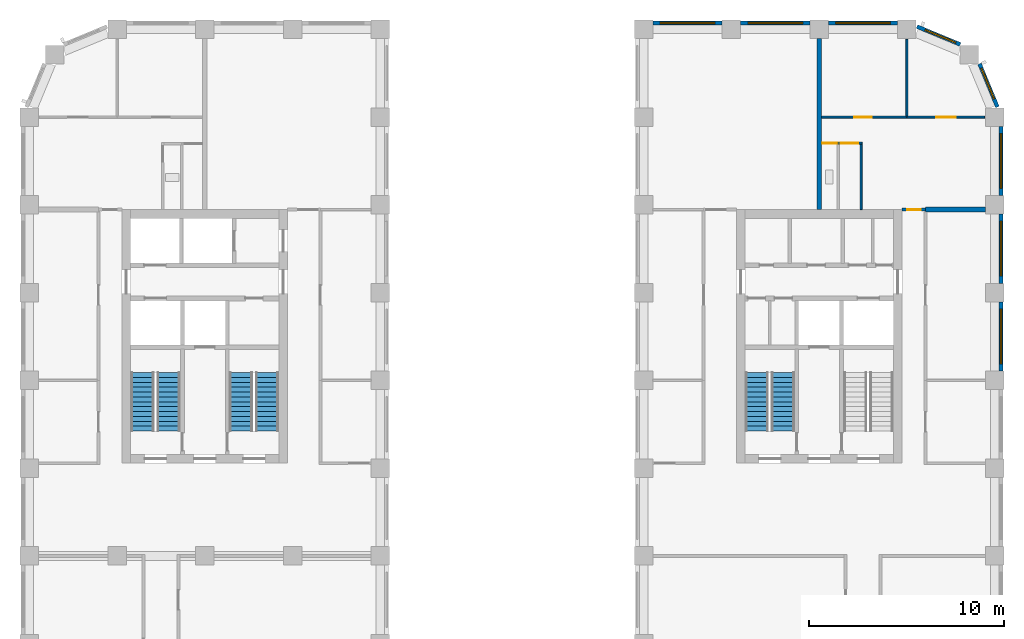
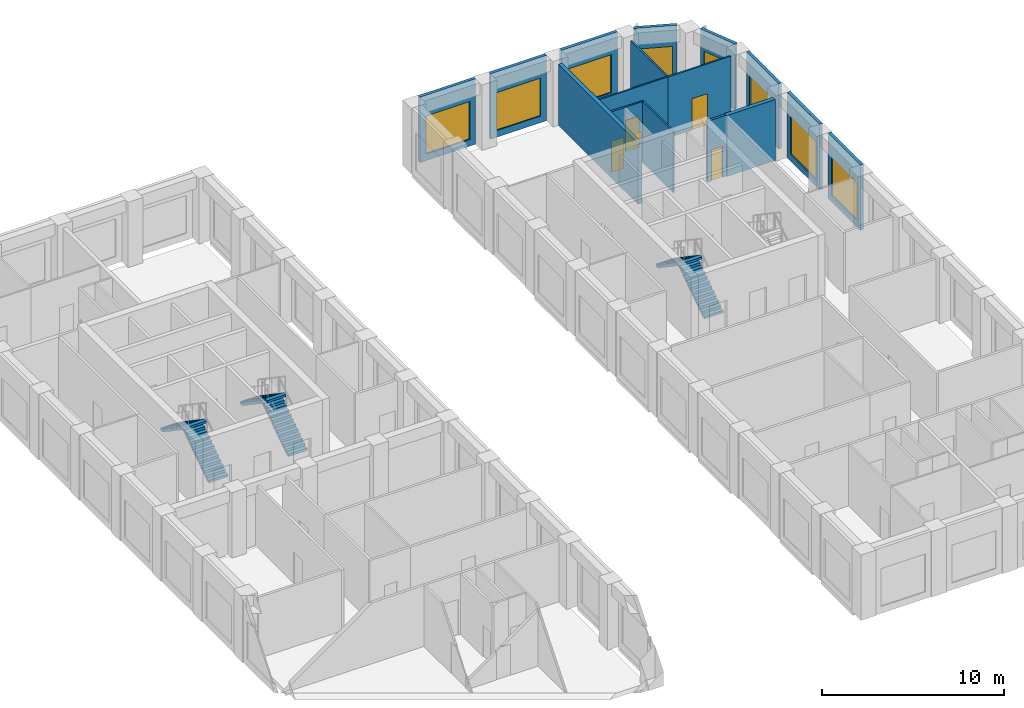
# One storey, part 9 of 13: 17 walls, 8 windows, 6 stair flights, 5 doors, 13 openings, 3 elements without a shape of their own.
"""IFC4 building model written with IfcOpenShell, lengths in metres."""

from ifc_helpers import new_model, si_unit, direction, frame, frame_2d, origin, place, context, subcontext, project, spatial, polyline, rectangle, outline, extrude, material, layer, layer_set, type_object, element, fill, aggregate, save


model = new_model("IFC4")

# Units and contexts
model_context = context("Model", 3, precision=1e-05, world=origin(), true_north=direction((0.0, 1.0)))
body_context = subcontext(model_context, "Body", "Model", "MODEL_VIEW")
ifc_project = project(units=[si_unit("LENGTHUNIT", "METRE"), si_unit("AREAUNIT", "SQUARE_METRE"), si_unit("VOLUMEUNIT", "CUBIC_METRE"), si_unit("PLANEANGLEUNIT", "RADIAN"), si_unit("MASSUNIT", "GRAM", prefix="KILO")], contexts=[model_context])

# Site, building, storey
site_placement = place(None, origin())
site = spatial("IfcSite", under=ifc_project, at=site_placement, CompositionType="ELEMENT")
building_placement = place(site_placement, origin())
building = spatial("IfcBuilding", under=site, at=building_placement, Name="Girih Gate Residences", CompositionType="ELEMENT")
storey_placement = place(building_placement, frame((0.0, 0.0, 150.60009765625)))
storey = spatial("IfcBuildingStorey", under=building, at=storey_placement, Name="L42", CompositionType="ELEMENT", Elevation=150.60009765625)

# Walls
ifc_material_1 = material(Name="Gypsum board on steel studs", Category="steel")
ifc_layer_1 = layer(ifc_material_1, 0.25)
ifc_layer_set_1 = layer_set([ifc_layer_1], Name="Acoustic separating wall 250 mm")
wall_type_1 = type_object("IfcWallType", Name="Acoustic separating wall 250 mm", PredefinedType="PARTITIONING", material=ifc_layer_set_1)
wall_1_placement = place(storey_placement, frame((40.5, 40.25, 0.0), z_axis=(0.0, 0.0, 1.0), x_axis=(0.0, 1.0, 0.0)))
element("IfcWall", 1, at=wall_1_placement, inside=storey, type_object=wall_type_1, Name="L42 partition", PredefinedType="PARTITIONING", context=body_context, shape_type="SweptSolid", body=[
    extrude(rectangle(XDim=8.77490234375, YDim=0.25, at=frame_2d((4.387451171875, 0.0))), origin(), (0.0, 0.0, 1.0), 4.099853515625),
])
wall_2_placement = place(storey_placement, frame((45.949951171875, 40.25, 0.0), z_axis=(0.0, 0.0, 1.0), x_axis=(1.0, 0.0, 0.0)))
element("IfcWall", 2, at=wall_2_placement, inside=storey, type_object=wall_type_1, Name="L42 partition", PredefinedType="PARTITIONING", context=body_context, shape_type="SweptSolid", body=[
    extrude(rectangle(XDim=3.074951171875, YDim=0.25, at=frame_2d((1.53759765625, 0.0))), origin(), (0.0, 0.0, 1.0), 4.099853515625),
])

# Wall, opening, door
ifc_layer_2 = layer(ifc_material_1, 0.14990234375)
ifc_layer_set_2 = layer_set([ifc_layer_2], Name="Compartment wall 150 mm")
wall_type_2 = type_object("IfcWallType", Name="Compartment wall 150 mm", PredefinedType="PARTITIONING", material=ifc_layer_set_2)
wall_3_placement = place(storey_placement, frame((44.75, 40.25, 0.0), z_axis=(0.0, 0.0, 1.0), x_axis=(1.0, 0.0, 0.0)))
wall_3 = element("IfcWall", 3, at=wall_3_placement, inside=storey, type_object=wall_type_2, Name="L42 partition", PredefinedType="PARTITIONING", context=body_context, shape_type="SweptSolid", body=[
    extrude(rectangle(XDim=1.199951171875, YDim=0.14990234375, at=frame_2d((0.60009765625, 0.0))), origin(), (0.0, 0.0, 1.0), 4.099853515625),
])
opening_1_placement = place(wall_3_placement, frame((0.260009765625, 0.0, 0.0)))
opening_1 = element("IfcOpeningElement", 4, at=opening_1_placement, cuts=wall_3, Name="Opening A42-026", PredefinedType="OPENING", context=body_context, shape_type="SweptSolid", body=[
    extrude(rectangle(XDim=0.699951171875, YDim=2.10009765625, at=frame_2d((0.35009765625, 1.050048828125))), frame((0.0, 0.0849609375, 0.0), z_axis=(0.0, -1.0, 0.0), x_axis=(1.0, 0.0, 0.0)), (0.0, 0.0, 1.0), 0.169921875),
])
ifc_material_2 = material(Name="Timber", Category="wood")
door_type_1 = type_object("IfcDoorType", Name="Narrow door 700x2100", OperationType="NOTDEFINED", PredefinedType="DOOR", material=ifc_material_2)
door_1_placement = place(opening_1_placement, origin())
door_1 = element("IfcDoor", 5, at=door_1_placement, inside=storey, type_object=door_type_1, Name="Door A42-026", OperationType="SINGLE_SWING_RIGHT", OverallHeight=2.10009765625, OverallWidth=0.699951171875, PredefinedType="DOOR", context=body_context, shape_type="SweptSolid", body=[
    extrude(rectangle(XDim=0.699951171875, YDim=2.10009765625, at=frame_2d((0.35009765625, 1.050048828125))), frame((0.0, 0.02490234375, 0.0), z_axis=(0.0, -1.0, 0.0), x_axis=(1.0, 0.0, 0.0)), (0.0, 0.0, 1.0), 0.050048828125),
])
fill(opening_1, door_1)

ifc_layer_3 = layer(ifc_material_1, 0.10009765625)
ifc_layer_set_3 = layer_set([ifc_layer_3], Name="Partition 100 mm")
wall_type_3 = type_object("IfcWallType", Name="Partition 100 mm", PredefinedType="PARTITIONING", material=ifc_layer_set_3)
wall_4_placement = place(storey_placement, frame((40.625, 45.0, 0.0), z_axis=(0.0, 0.0, 1.0), x_axis=(1.0, 0.0, 0.0)))
wall_4 = element("IfcWall", 6, at=wall_4_placement, inside=storey, type_object=wall_type_3, Name="L42 partition", PredefinedType="PARTITIONING", context=body_context, shape_type="SweptSolid", body=[
    extrude(rectangle(XDim=4.375, YDim=0.10009765625, at=frame_2d((2.1875, 0.0))), origin(), (0.0, 0.0, 1.0), 4.099853515625),
])
opening_2_placement = place(wall_4_placement, frame((1.675048828125, 0.0, 0.0)))
opening_2 = element("IfcOpeningElement", 7, at=opening_2_placement, cuts=wall_4, Name="Opening A42-023", PredefinedType="OPENING", context=body_context, shape_type="SweptSolid", body=[
    extrude(rectangle(XDim=0.89990234375, YDim=2.10009765625, at=frame_2d((0.449951171875, 1.050048828125))), frame((0.0, 0.06005859375, 0.0), z_axis=(0.0, -1.0, 0.0), x_axis=(1.0, 0.0, 0.0)), (0.0, 0.0, 1.0), 0.1201171875),
])
door_type_2 = type_object("IfcDoorType", Name="Bedroom door 900x2100", OperationType="NOTDEFINED", PredefinedType="DOOR", material=ifc_material_2)
door_2_placement = place(opening_2_placement, origin())
door_2 = element("IfcDoor", 8, at=door_2_placement, inside=storey, type_object=door_type_2, Name="Door A42-023", OperationType="SINGLE_SWING_LEFT", OverallHeight=2.10009765625, OverallWidth=0.89990234375, PredefinedType="DOOR", context=body_context, shape_type="SweptSolid", body=[
    extrude(rectangle(XDim=0.89990234375, YDim=2.10009765625, at=frame_2d((0.449951171875, 1.050048828125))), frame((0.0, 0.02490234375, 0.0), z_axis=(0.0, -1.0, 0.0), x_axis=(1.0, 0.0, 0.0)), (0.0, 0.0, 1.0), 0.050048828125),
])
fill(opening_2, door_2)

# Walls
wall_5_placement = place(storey_placement, frame((45.0, 45.050048828125, 0.0), z_axis=(0.0, 0.0, 1.0), x_axis=(0.0, 1.0, 0.0)))
element("IfcWall", 9, at=wall_5_placement, inside=storey, type_object=wall_type_3, Name="L42 partition", PredefinedType="PARTITIONING", context=body_context, shape_type="SweptSolid", body=[
    extrude(rectangle(XDim=3.935791015625, YDim=0.10009765625, at=frame_2d((1.9677734375, 0.0))), origin(), (0.0, 0.0, 1.0), 4.099853515625),
])
wall_6_placement = place(storey_placement, frame((42.64990234375, 40.25, 0.0), z_axis=(0.0, 0.0, 1.0), x_axis=(0.0, 1.0, 0.0)))
element("IfcWall", 10, at=wall_6_placement, inside=storey, type_object=wall_type_3, Name="L42 partition", PredefinedType="PARTITIONING", context=body_context, shape_type="SweptSolid", body=[
    extrude(rectangle(XDim=3.360107421875, YDim=0.10009765625, at=frame_2d((1.68017578125, 0.0))), origin(), (0.0, 0.0, 1.0), 4.099853515625),
])

# Wall, opening, door
wall_7_placement = place(storey_placement, frame((42.699951171875, 43.659912109375, 0.0), z_axis=(0.0, 0.0, 1.0), x_axis=(-1.0, 0.0, 0.0)))
wall_7 = element("IfcWall", 11, at=wall_7_placement, inside=storey, type_object=wall_type_3, Name="L42 partition", PredefinedType="PARTITIONING", context=body_context, shape_type="SweptSolid", body=[
    extrude(rectangle(XDim=1.22265625, YDim=0.10009765625, at=frame_2d((0.611328125, 0.0))), origin(), (0.0, 0.0, 1.0), 4.099853515625),
])
opening_3_placement = place(wall_7_placement, frame((0.186279296875, 0.0, 0.0)))
opening_3 = element("IfcOpeningElement", 12, at=opening_3_placement, cuts=wall_7, Name="Opening A42-024", PredefinedType="OPENING", context=body_context, shape_type="SweptSolid", body=[
    extrude(rectangle(XDim=0.89990234375, YDim=2.10009765625, at=frame_2d((0.449951171875, 1.050048828125))), frame((0.0, 0.06005859375, 0.0), z_axis=(0.0, -1.0, 0.0), x_axis=(1.0, 0.0, 0.0)), (0.0, 0.0, 1.0), 0.1201171875),
])
door_type_3 = type_object("IfcDoorType", Name="Kitchen door 900x2100", OperationType="NOTDEFINED", PredefinedType="DOOR", material=ifc_material_2)
door_3_placement = place(opening_3_placement, origin())
door_3 = element("IfcDoor", 13, at=door_3_placement, inside=storey, type_object=door_type_3, Name="Door A42-024", OperationType="SINGLE_SWING_RIGHT", OverallHeight=2.10009765625, OverallWidth=0.89990234375, PredefinedType="DOOR", context=body_context, shape_type="SweptSolid", body=[
    extrude(rectangle(XDim=0.89990234375, YDim=2.10009765625, at=frame_2d((0.449951171875, 1.050048828125))), frame((0.0, 0.02490234375, 0.0), z_axis=(0.0, -1.0, 0.0), x_axis=(1.0, 0.0, 0.0)), (0.0, 0.0, 1.0), 0.050048828125),
])
fill(opening_3, door_3)

wall_8_placement = place(storey_placement, frame((45.0, 45.0, 0.0), z_axis=(0.0, 0.0, 1.0), x_axis=(1.0, 0.0, 0.0)))
wall_8 = element("IfcWall", 14, at=wall_8_placement, inside=storey, type_object=wall_type_3, Name="L42 partition", PredefinedType="PARTITIONING", context=body_context, shape_type="SweptSolid", body=[
    extrude(rectangle(XDim=3.98583984375, YDim=0.10009765625, at=frame_2d((1.992919921875, 0.0))), origin(), (0.0, 0.0, 1.0), 4.099853515625),
])
opening_4_placement = place(wall_8_placement, frame((1.512451171875, 0.0, 0.0)))
opening_4 = element("IfcOpeningElement", 15, at=opening_4_placement, cuts=wall_8, Name="Opening A42-025", PredefinedType="OPENING", context=body_context, shape_type="SweptSolid", body=[
    extrude(rectangle(XDim=1.0, YDim=2.10009765625, at=frame_2d((0.5, 1.050048828125))), frame((0.0, 0.06005859375, 0.0), z_axis=(0.0, -1.0, 0.0), x_axis=(1.0, 0.0, 0.0)), (0.0, 0.0, 1.0), 0.1201171875),
])
door_type_4 = type_object("IfcDoorType", Name="Living room door 1000x2100", OperationType="NOTDEFINED", PredefinedType="DOOR", material=ifc_material_2)
door_4_placement = place(opening_4_placement, origin())
door_4 = element("IfcDoor", 16, at=door_4_placement, inside=storey, type_object=door_type_4, Name="Door A42-025", OperationType="SINGLE_SWING_RIGHT", OverallHeight=2.10009765625, OverallWidth=1.0, PredefinedType="DOOR", context=body_context, shape_type="SweptSolid", body=[
    extrude(rectangle(XDim=1.0, YDim=2.10009765625, at=frame_2d((0.5, 1.050048828125))), frame((0.0, 0.02490234375, 0.0), z_axis=(0.0, -1.0, 0.0), x_axis=(1.0, 0.0, 0.0)), (0.0, 0.0, 1.0), 0.050048828125),
])
fill(opening_4, door_4)

# Wall, opening, window
ifc_material_3 = material(Name="Precast concrete C50/60", Category="concrete")
ifc_layer_4 = layer(ifc_material_3, 0.06005859375, Name="Outer leaf")
ifc_material_4 = material(Name="Rigid PIR insulation")
ifc_layer_5 = layer(ifc_material_4, 0.090087890625, Name="Insulation")
ifc_material_5 = material(Name="Precast concrete C40/50", Category="concrete")
ifc_layer_6 = layer(ifc_material_5, 0.050048828125, Name="Inner leaf")
ifc_layer_set_4 = layer_set([ifc_layer_4, ifc_layer_5, ifc_layer_6], Name="Precast concrete C50/60 external wall 200")
wall_type_4 = type_object("IfcWallType", Name="Precast concrete C50/60 external wall 200", PredefinedType="SOLIDWALL", material=ifc_layer_set_4)
wall_9_placement = place(storey_placement, frame((49.824951171875, 35.52490234375, 0.0), z_axis=(0.0, 0.0, 1.0), x_axis=(0.0, -1.0, 0.0)))
wall_9 = element("IfcWall", 17, at=wall_9_placement, inside=storey, type_object=wall_type_4, Name="External wall E0495_0045.6", PredefinedType="SOLIDWALL", context=body_context, shape_type="SweptSolid", body=[
    extrude(rectangle(XDim=3.5498046875, YDim=0.199951171875, at=frame_2d((1.77490234375, 0.0))), origin(), (0.0, 0.0, 1.0), 4.39990234375),
])
opening_5_placement = place(wall_9_placement, frame((0.375, 0.0, 0.449951171875)))
opening_5 = element("IfcOpeningElement", 18, at=opening_5_placement, cuts=wall_9, Name="Opening W-6A", PredefinedType="OPENING", context=body_context, shape_type="SweptSolid", body=[
    extrude(rectangle(XDim=2.800048828125, YDim=2.550048828125, at=frame_2d((1.39990234375, 1.27490234375))), frame((0.0, 0.10986328125, 0.0), z_axis=(0.0, -1.0, 0.0), x_axis=(1.0, 0.0, 0.0)), (0.0, 0.0, 1.0), 0.219970703125),
])
ifc_material_6 = material(Name="Double glazing in aluminium frame", Category="aluminium")
window_type_1 = type_object("IfcWindowType", Name="Window W-6A 2800x2550", PartitioningType="SINGLE_PANEL", PredefinedType="WINDOW", material=ifc_material_6)
window_1_placement = place(opening_5_placement, origin())
window_1 = element("IfcWindow", 19, at=window_1_placement, inside=storey, type_object=window_type_1, Name="Window W-6A E0495_0045.6", OverallHeight=2.550048828125, OverallWidth=2.800048828125, PartitioningType="SINGLE_PANEL", PredefinedType="WINDOW", context=body_context, shape_type="SweptSolid", body=[
    extrude(rectangle(XDim=2.800048828125, YDim=2.550048828125, at=frame_2d((1.39990234375, 1.27490234375))), frame((0.0, 0.030029296875, 0.0), z_axis=(0.0, -1.0, 0.0), x_axis=(1.0, 0.0, 0.0)), (0.0, 0.0, 1.0), 0.06005859375),
])
fill(opening_5, window_1)

wall_10_placement = place(storey_placement, frame((49.824951171875, 40.02490234375, 0.0), z_axis=(0.0, 0.0, 1.0), x_axis=(0.0, -1.0, 0.0)))
wall_10 = element("IfcWall", 20, at=wall_10_placement, inside=storey, type_object=wall_type_4, Name="External wall E0495_0045.7", PredefinedType="SOLIDWALL", context=body_context, shape_type="SweptSolid", body=[
    extrude(rectangle(XDim=3.5498046875, YDim=0.199951171875, at=frame_2d((1.77490234375, 0.0))), origin(), (0.0, 0.0, 1.0), 4.39990234375),
])
opening_6_placement = place(wall_10_placement, frame((0.375, 0.0, 0.449951171875)))
opening_6 = element("IfcOpeningElement", 21, at=opening_6_placement, cuts=wall_10, Name="Opening W-6A", PredefinedType="OPENING", context=body_context, shape_type="SweptSolid", body=[
    extrude(rectangle(XDim=2.800048828125, YDim=2.550048828125, at=frame_2d((1.39990234375, 1.27490234375))), frame((0.0, 0.10986328125, 0.0), z_axis=(0.0, -1.0, 0.0), x_axis=(1.0, 0.0, 0.0)), (0.0, 0.0, 1.0), 0.219970703125),
])
window_2_placement = place(opening_6_placement, origin())
window_2 = element("IfcWindow", 22, at=window_2_placement, inside=storey, type_object=window_type_1, Name="Window W-6A E0495_0045.7", OverallHeight=2.550048828125, OverallWidth=2.800048828125, PartitioningType="SINGLE_PANEL", PredefinedType="WINDOW", context=body_context, shape_type="SweptSolid", body=[
    extrude(rectangle(XDim=2.800048828125, YDim=2.550048828125, at=frame_2d((1.39990234375, 1.27490234375))), frame((0.0, 0.030029296875, 0.0), z_axis=(0.0, -1.0, 0.0), x_axis=(1.0, 0.0, 0.0)), (0.0, 0.0, 1.0), 0.06005859375),
])
fill(opening_6, window_2)

wall_11_placement = place(storey_placement, frame((49.824951171875, 44.52490234375, 0.0), z_axis=(0.0, 0.0, 1.0), x_axis=(0.0, -1.0, 0.0)))
wall_11 = element("IfcWall", 23, at=wall_11_placement, inside=storey, type_object=wall_type_4, Name="External wall E0495_0045.8", PredefinedType="SOLIDWALL", context=body_context, shape_type="SweptSolid", body=[
    extrude(rectangle(XDim=3.5498046875, YDim=0.199951171875, at=frame_2d((1.77490234375, 0.0))), origin(), (0.0, 0.0, 1.0), 4.39990234375),
])
opening_7_placement = place(wall_11_placement, frame((0.375, 0.0, 0.449951171875)))
opening_7 = element("IfcOpeningElement", 24, at=opening_7_placement, cuts=wall_11, Name="Opening W-6A", PredefinedType="OPENING", context=body_context, shape_type="SweptSolid", body=[
    extrude(rectangle(XDim=2.800048828125, YDim=2.550048828125, at=frame_2d((1.39990234375, 1.27490234375))), frame((0.0, 0.10986328125, 0.0), z_axis=(0.0, -1.0, 0.0), x_axis=(1.0, 0.0, 0.0)), (0.0, 0.0, 1.0), 0.219970703125),
])
window_3_placement = place(opening_7_placement, origin())
window_3 = element("IfcWindow", 25, at=window_3_placement, inside=storey, type_object=window_type_1, Name="Window W-6A E0495_0045.8", OverallHeight=2.550048828125, OverallWidth=2.800048828125, PartitioningType="SINGLE_PANEL", PredefinedType="WINDOW", context=body_context, shape_type="SweptSolid", body=[
    extrude(rectangle(XDim=2.800048828125, YDim=2.550048828125, at=frame_2d((1.39990234375, 1.27490234375))), frame((0.0, 0.030029296875, 0.0), z_axis=(0.0, -1.0, 0.0), x_axis=(1.0, 0.0, 0.0)), (0.0, 0.0, 1.0), 0.06005859375),
])
fill(opening_7, window_3)

wall_12_placement = place(storey_placement, frame((48.7197265625, 47.73291015625, 0.0), z_axis=(0.0, 0.0, 1.0), x_axis=(0.382680855588, -0.923880599843, 0.0)))
wall_12 = element("IfcWall", 26, at=wall_12_placement, inside=storey, type_object=wall_type_4, Name="External wall NE0495_0450.0", PredefinedType="SOLIDWALL", context=body_context, shape_type="SweptSolid", body=[
    extrude(rectangle(XDim=2.402587890625, YDim=0.199951171875, at=frame_2d((1.201171875, 0.0))), origin(), (0.0, 0.0, 1.0), 4.39990234375),
])
opening_8_placement = place(wall_12_placement, frame((0.25146484375, 0.0, 0.449951171875)))
opening_8 = element("IfcOpeningElement", 27, at=opening_8_placement, cuts=wall_12, Name="Opening W-2F", PredefinedType="OPENING", context=body_context, shape_type="SweptSolid", body=[
    extrude(rectangle(XDim=1.699951171875, YDim=2.550048828125, at=frame_2d((0.85009765625, 1.27490234375))), frame((0.0, 0.10986328125, 0.0), z_axis=(0.0, -1.0, 0.0), x_axis=(1.0, 0.0, 0.0)), (0.0, 0.0, 1.0), 0.219970703125),
])
window_type_2 = type_object("IfcWindowType", Name="Window W-2F 1700x2550", PartitioningType="SINGLE_PANEL", PredefinedType="WINDOW", material=ifc_material_6)
window_4_placement = place(opening_8_placement, origin())
window_4 = element("IfcWindow", 28, at=window_4_placement, inside=storey, type_object=window_type_2, Name="Window W-2F NE0495_0450.0", OverallHeight=2.550048828125, OverallWidth=1.699951171875, PartitioningType="SINGLE_PANEL", PredefinedType="WINDOW", context=body_context, shape_type="SweptSolid", body=[
    extrude(rectangle(XDim=1.699951171875, YDim=2.550048828125, at=frame_2d((0.85009765625, 1.27490234375))), frame((0.0, 0.030029296875, 0.0), z_axis=(0.0, -1.0, 0.0), x_axis=(1.0, 0.0, 0.0)), (0.0, 0.0, 1.0), 0.06005859375),
])
fill(opening_8, window_4)

wall_13_placement = place(storey_placement, frame((45.51318359375, 49.63916015625, 0.0), z_axis=(0.0, 0.0, 1.0), x_axis=(0.923880599843, -0.382680855588, 0.0)))
wall_13 = element("IfcWall", 29, at=wall_13_placement, inside=storey, type_object=wall_type_4, Name="External wall NE0482_0482.0", PredefinedType="SOLIDWALL", context=body_context, shape_type="SweptSolid", body=[
    extrude(rectangle(XDim=2.402587890625, YDim=0.199951171875, at=frame_2d((1.201171875, 0.0))), origin(), (0.0, 0.0, 1.0), 4.39990234375),
])
opening_9_placement = place(wall_13_placement, frame((0.451171875, 0.0, 0.449951171875)))
opening_9 = element("IfcOpeningElement", 30, at=opening_9_placement, cuts=wall_13, Name="Opening W-2F", PredefinedType="OPENING", context=body_context, shape_type="SweptSolid", body=[
    extrude(rectangle(XDim=1.699951171875, YDim=2.550048828125, at=frame_2d((0.85009765625, 1.27490234375))), frame((0.0, 0.10986328125, 0.0), z_axis=(0.0, -1.0, 0.0), x_axis=(1.0, 0.0, 0.0)), (0.0, 0.0, 1.0), 0.219970703125),
])
window_5_placement = place(opening_9_placement, origin())
window_5 = element("IfcWindow", 31, at=window_5_placement, inside=storey, type_object=window_type_2, Name="Window W-2F NE0482_0482.0", OverallHeight=2.550048828125, OverallWidth=1.699951171875, PartitioningType="SINGLE_PANEL", PredefinedType="WINDOW", context=body_context, shape_type="SweptSolid", body=[
    extrude(rectangle(XDim=1.699951171875, YDim=2.550048828125, at=frame_2d((0.85009765625, 1.27490234375))), frame((0.0, 0.030029296875, 0.0), z_axis=(0.0, -1.0, 0.0), x_axis=(1.0, 0.0, 0.0)), (0.0, 0.0, 1.0), 0.06005859375),
])
fill(opening_9, window_5)

wall_14_placement = place(storey_placement, frame((40.97509765625, 49.824951171875, 0.0), z_axis=(0.0, 0.0, 1.0), x_axis=(1.0, 0.0, 0.0)))
wall_14 = element("IfcWall", 32, at=wall_14_placement, inside=storey, type_object=wall_type_4, Name="External wall N0450_0495.0", PredefinedType="SOLIDWALL", context=body_context, shape_type="SweptSolid", body=[
    extrude(rectangle(XDim=3.5498046875, YDim=0.199951171875, at=frame_2d((1.77490234375, 0.0))), origin(), (0.0, 0.0, 1.0), 4.39990234375),
])
opening_10_placement = place(wall_14_placement, frame((0.375, 0.0, 0.449951171875)))
opening_10 = element("IfcOpeningElement", 33, at=opening_10_placement, cuts=wall_14, Name="Opening W-6A", PredefinedType="OPENING", context=body_context, shape_type="SweptSolid", body=[
    extrude(rectangle(XDim=2.800048828125, YDim=2.550048828125, at=frame_2d((1.39990234375, 1.27490234375))), frame((0.0, 0.10986328125, 0.0), z_axis=(0.0, -1.0, 0.0), x_axis=(1.0, 0.0, 0.0)), (0.0, 0.0, 1.0), 0.219970703125),
])
window_6_placement = place(opening_10_placement, origin())
window_6 = element("IfcWindow", 34, at=window_6_placement, inside=storey, type_object=window_type_1, Name="Window W-6A N0450_0495.0", OverallHeight=2.550048828125, OverallWidth=2.800048828125, PartitioningType="SINGLE_PANEL", PredefinedType="WINDOW", context=body_context, shape_type="SweptSolid", body=[
    extrude(rectangle(XDim=2.800048828125, YDim=2.550048828125, at=frame_2d((1.39990234375, 1.27490234375))), frame((0.0, 0.030029296875, 0.0), z_axis=(0.0, -1.0, 0.0), x_axis=(1.0, 0.0, 0.0)), (0.0, 0.0, 1.0), 0.06005859375),
])
fill(opening_10, window_6)

wall_15_placement = place(storey_placement, frame((36.47509765625, 49.824951171875, 0.0), z_axis=(0.0, 0.0, 1.0), x_axis=(1.0, 0.0, 0.0)))
wall_15 = element("IfcWall", 35, at=wall_15_placement, inside=storey, type_object=wall_type_4, Name="External wall N0450_0495.1", PredefinedType="SOLIDWALL", context=body_context, shape_type="SweptSolid", body=[
    extrude(rectangle(XDim=3.5498046875, YDim=0.199951171875, at=frame_2d((1.77490234375, 0.0))), origin(), (0.0, 0.0, 1.0), 4.39990234375),
])
opening_11_placement = place(wall_15_placement, frame((0.375, 0.0, 0.449951171875)))
opening_11 = element("IfcOpeningElement", 36, at=opening_11_placement, cuts=wall_15, Name="Opening W-6A", PredefinedType="OPENING", context=body_context, shape_type="SweptSolid", body=[
    extrude(rectangle(XDim=2.800048828125, YDim=2.550048828125, at=frame_2d((1.39990234375, 1.27490234375))), frame((0.0, 0.10986328125, 0.0), z_axis=(0.0, -1.0, 0.0), x_axis=(1.0, 0.0, 0.0)), (0.0, 0.0, 1.0), 0.219970703125),
])
window_7_placement = place(opening_11_placement, origin())
window_7 = element("IfcWindow", 37, at=window_7_placement, inside=storey, type_object=window_type_1, Name="Window W-6A N0450_0495.1", OverallHeight=2.550048828125, OverallWidth=2.800048828125, PartitioningType="SINGLE_PANEL", PredefinedType="WINDOW", context=body_context, shape_type="SweptSolid", body=[
    extrude(rectangle(XDim=2.800048828125, YDim=2.550048828125, at=frame_2d((1.39990234375, 1.27490234375))), frame((0.0, 0.030029296875, 0.0), z_axis=(0.0, -1.0, 0.0), x_axis=(1.0, 0.0, 0.0)), (0.0, 0.0, 1.0), 0.06005859375),
])
fill(opening_11, window_7)

wall_16_placement = place(storey_placement, frame((31.97509765625, 49.824951171875, 0.0), z_axis=(0.0, 0.0, 1.0), x_axis=(1.0, 0.0, 0.0)))
wall_16 = element("IfcWall", 38, at=wall_16_placement, inside=storey, type_object=wall_type_4, Name="External wall N0450_0495.2", PredefinedType="SOLIDWALL", context=body_context, shape_type="SweptSolid", body=[
    extrude(rectangle(XDim=3.5498046875, YDim=0.199951171875, at=frame_2d((1.77490234375, 0.0))), origin(), (0.0, 0.0, 1.0), 4.39990234375),
])
opening_12_placement = place(wall_16_placement, frame((0.375, 0.0, 0.449951171875)))
opening_12 = element("IfcOpeningElement", 39, at=opening_12_placement, cuts=wall_16, Name="Opening W-6A", PredefinedType="OPENING", context=body_context, shape_type="SweptSolid", body=[
    extrude(rectangle(XDim=2.800048828125, YDim=2.550048828125, at=frame_2d((1.39990234375, 1.27490234375))), frame((0.0, 0.10986328125, 0.0), z_axis=(0.0, -1.0, 0.0), x_axis=(1.0, 0.0, 0.0)), (0.0, 0.0, 1.0), 0.219970703125),
])
window_8_placement = place(opening_12_placement, origin())
window_8 = element("IfcWindow", 40, at=window_8_placement, inside=storey, type_object=window_type_1, Name="Window W-6A N0450_0495.2", OverallHeight=2.550048828125, OverallWidth=2.800048828125, PartitioningType="SINGLE_PANEL", PredefinedType="WINDOW", context=body_context, shape_type="SweptSolid", body=[
    extrude(rectangle(XDim=2.800048828125, YDim=2.550048828125, at=frame_2d((1.39990234375, 1.27490234375))), frame((0.0, 0.030029296875, 0.0), z_axis=(0.0, -1.0, 0.0), x_axis=(1.0, 0.0, 0.0)), (0.0, 0.0, 1.0), 0.06005859375),
])
fill(opening_12, window_8)

# Wall, opening, door
ifc_layer_7 = layer(ifc_material_1, 0.125)
ifc_layer_set_5 = layer_set([ifc_layer_7], Name="Wet room wall 125 mm")
wall_type_5 = type_object("IfcWallType", Name="Wet room wall 125 mm", PredefinedType="PARTITIONING", material=ifc_layer_set_5)
wall_17_placement = place(storey_placement, frame((41.477294921875, 43.659912109375, 0.0), z_axis=(0.0, 0.0, 1.0), x_axis=(-1.0, 0.0, 0.0)))
wall_17 = element("IfcWall", 41, at=wall_17_placement, inside=storey, type_object=wall_type_5, Name="L42 partition", PredefinedType="PARTITIONING", context=body_context, shape_type="SweptSolid", body=[
    extrude(rectangle(XDim=0.852294921875, YDim=0.125, at=frame_2d((0.42626953125, 0.0))), origin(), (0.0, 0.0, 1.0), 4.099853515625),
])
opening_13_placement = place(wall_17_placement, frame((0.0322265625, 0.0, 0.0)))
opening_13 = element("IfcOpeningElement", 42, at=opening_13_placement, cuts=wall_17, Name="Opening A42-022", PredefinedType="OPENING", context=body_context, shape_type="SweptSolid", body=[
    extrude(rectangle(XDim=0.800048828125, YDim=2.10009765625, at=frame_2d((0.39990234375, 1.050048828125))), frame((0.0, 0.072509765625, 0.0), z_axis=(0.0, -1.0, 0.0), x_axis=(1.0, 0.0, 0.0)), (0.0, 0.0, 1.0), 0.14501953125),
])
door_type_5 = type_object("IfcDoorType", Name="Bathroom door 800x2100", OperationType="NOTDEFINED", PredefinedType="DOOR", material=ifc_material_2)
door_5_placement = place(opening_13_placement, origin())
door_5 = element("IfcDoor", 43, at=door_5_placement, inside=storey, type_object=door_type_5, Name="Door A42-022", OperationType="SINGLE_SWING_RIGHT", OverallHeight=2.10009765625, OverallWidth=0.800048828125, PredefinedType="DOOR", context=body_context, shape_type="SweptSolid", body=[
    extrude(rectangle(XDim=0.800048828125, YDim=2.10009765625, at=frame_2d((0.39990234375, 1.050048828125))), frame((0.0, 0.02490234375, 0.0), z_axis=(0.0, -1.0, 0.0), x_axis=(1.0, 0.0, 0.0)), (0.0, 0.0, 1.0), 0.050048828125),
])
fill(opening_13, door_5)

# Stair, stair flights
ifc_material_7 = material(Name="Concrete C40/50", Category="concrete")
stair_type = type_object("IfcStairType", Name="Exit stair", PredefinedType="HALF_TURN_STAIR", material=ifc_material_7)
stair_1_placement = place(storey_placement, origin())
stair_1 = element("IfcStair", 44, at=stair_1_placement, inside=storey, type_object=stair_type, Name="L42 Exit Stair ST-W1", PredefinedType="HALF_TURN_STAIR")
stair_flight_type = type_object("IfcStairFlightType", Name="Stair flight 1200", PredefinedType="STRAIGHT", material=ifc_material_7)
stair_flight_1_placement = place(storey_placement, frame((7.14990234375, 28.89990234375, 0.0), z_axis=(0.0, 0.0, 1.0), x_axis=(0.0, 1.0, 0.0)))
stair_flight_1 = element("IfcStairFlight", 45, at=stair_flight_1_placement, type_object=stair_flight_type, Name="ST-W1 flight 1", NumberOfRisers=13, NumberOfTreads=12, PredefinedType="STRAIGHT", RiserHeight=0.169230769, TreadLength=0.25, context=body_context, shape_type="SweptSolid", body=[
    extrude(outline(polyline([(0.0, 0.0), (0.0, 0.169189453125), (0.25, 0.169189453125), (0.25, 0.33837890625), (0.5, 0.33837890625), (0.5, 0.5078125), (0.75, 0.5078125), (0.75, 0.677001953125), (1.0, 0.677001953125), (1.0, 0.84619140625), (1.25, 0.84619140625), (1.25, 1.015380859375), (1.5, 1.015380859375), (1.5, 1.1845703125), (1.75, 1.1845703125), (1.75, 1.353759765625), (2.0, 1.353759765625), (2.0, 1.523193359375), (2.25, 1.523193359375), (2.25, 1.6923828125), (2.5, 1.6923828125), (2.5, 1.861572265625), (2.75, 1.861572265625), (2.75, 2.03076171875), (3.0, 2.03076171875), (3.0, 2.199951171875), (3.0, 1.8857421875), (0.21435546875, 0.0), (0.0, 0.0)])), frame((0.0, 0.60009765625, 0.0), z_axis=(0.0, -1.0, 0.0), x_axis=(1.0, 0.0, 0.0)), (0.0, 0.0, 1.0), 1.199951171875),
])
stair_flight_2_placement = place(storey_placement, frame((5.800048828125, 31.89990234375, 2.199951171875), z_axis=(0.0, 0.0, 1.0), x_axis=(0.0, -1.0, 0.0)))
stair_flight_2 = element("IfcStairFlight", 46, at=stair_flight_2_placement, type_object=stair_flight_type, Name="ST-W1 flight 2", NumberOfRisers=13, NumberOfTreads=12, PredefinedType="STRAIGHT", RiserHeight=0.169230769, TreadLength=0.25, context=body_context, shape_type="SweptSolid", body=[
    extrude(outline(polyline([(0.0, 0.0), (0.0, 0.169189453125), (0.25, 0.169189453125), (0.25, 0.33837890625), (0.5, 0.33837890625), (0.5, 0.5078125), (0.75, 0.5078125), (0.75, 0.677001953125), (1.0, 0.677001953125), (1.0, 0.84619140625), (1.25, 0.84619140625), (1.25, 1.015380859375), (1.5, 1.015380859375), (1.5, 1.1845703125), (1.75, 1.1845703125), (1.75, 1.353759765625), (2.0, 1.353759765625), (2.0, 1.523193359375), (2.25, 1.523193359375), (2.25, 1.6923828125), (2.5, 1.6923828125), (2.5, 1.861572265625), (2.75, 1.861572265625), (2.75, 2.03076171875), (3.0, 2.03076171875), (3.0, 2.199951171875), (3.0, 1.8857421875), (0.21435546875, 0.0), (0.0, 0.0)])), frame((0.0, 0.60009765625, 0.0), z_axis=(0.0, -1.0, 0.0), x_axis=(1.0, 0.0, 0.0)), (0.0, 0.0, 1.0), 1.199951171875),
])
aggregate(stair_1, [stair_flight_1, stair_flight_2])

stair_2_placement = place(storey_placement, origin())
stair_2 = element("IfcStair", 47, at=stair_2_placement, inside=storey, type_object=stair_type, Name="L42 Exit Stair ST-W2", PredefinedType="HALF_TURN_STAIR")
stair_flight_3_placement = place(storey_placement, frame((12.199951171875, 28.89990234375, 0.0), z_axis=(0.0, 0.0, 1.0), x_axis=(0.0, 1.0, 0.0)))
stair_flight_3 = element("IfcStairFlight", 48, at=stair_flight_3_placement, type_object=stair_flight_type, Name="ST-W2 flight 1", NumberOfRisers=13, NumberOfTreads=12, PredefinedType="STRAIGHT", RiserHeight=0.169230769, TreadLength=0.25, context=body_context, shape_type="SweptSolid", body=[
    extrude(outline(polyline([(0.0, 0.0), (0.0, 0.169189453125), (0.25, 0.169189453125), (0.25, 0.33837890625), (0.5, 0.33837890625), (0.5, 0.5078125), (0.75, 0.5078125), (0.75, 0.677001953125), (1.0, 0.677001953125), (1.0, 0.84619140625), (1.25, 0.84619140625), (1.25, 1.015380859375), (1.5, 1.015380859375), (1.5, 1.1845703125), (1.75, 1.1845703125), (1.75, 1.353759765625), (2.0, 1.353759765625), (2.0, 1.523193359375), (2.25, 1.523193359375), (2.25, 1.6923828125), (2.5, 1.6923828125), (2.5, 1.861572265625), (2.75, 1.861572265625), (2.75, 2.03076171875), (3.0, 2.03076171875), (3.0, 2.199951171875), (3.0, 1.8857421875), (0.21435546875, 0.0), (0.0, 0.0)])), frame((0.0, 0.60009765625, 0.0), z_axis=(0.0, -1.0, 0.0), x_axis=(1.0, 0.0, 0.0)), (0.0, 0.0, 1.0), 1.199951171875),
])
stair_flight_4_placement = place(storey_placement, frame((10.85009765625, 31.89990234375, 2.199951171875), z_axis=(0.0, 0.0, 1.0), x_axis=(0.0, -1.0, 0.0)))
stair_flight_4 = element("IfcStairFlight", 49, at=stair_flight_4_placement, type_object=stair_flight_type, Name="ST-W2 flight 2", NumberOfRisers=13, NumberOfTreads=12, PredefinedType="STRAIGHT", RiserHeight=0.169230769, TreadLength=0.25, context=body_context, shape_type="SweptSolid", body=[
    extrude(outline(polyline([(0.0, 0.0), (0.0, 0.169189453125), (0.25, 0.169189453125), (0.25, 0.33837890625), (0.5, 0.33837890625), (0.5, 0.5078125), (0.75, 0.5078125), (0.75, 0.677001953125), (1.0, 0.677001953125), (1.0, 0.84619140625), (1.25, 0.84619140625), (1.25, 1.015380859375), (1.5, 1.015380859375), (1.5, 1.1845703125), (1.75, 1.1845703125), (1.75, 1.353759765625), (2.0, 1.353759765625), (2.0, 1.523193359375), (2.25, 1.523193359375), (2.25, 1.6923828125), (2.5, 1.6923828125), (2.5, 1.861572265625), (2.75, 1.861572265625), (2.75, 2.03076171875), (3.0, 2.03076171875), (3.0, 2.199951171875), (3.0, 1.8857421875), (0.21435546875, 0.0), (0.0, 0.0)])), frame((0.0, 0.60009765625, 0.0), z_axis=(0.0, -1.0, 0.0), x_axis=(1.0, 0.0, 0.0)), (0.0, 0.0, 1.0), 1.199951171875),
])
aggregate(stair_2, [stair_flight_3, stair_flight_4])

stair_3_placement = place(storey_placement, origin())
stair_3 = element("IfcStair", 50, at=stair_3_placement, inside=storey, type_object=stair_type, Name="L42 Exit Stair ST-E2", PredefinedType="HALF_TURN_STAIR")
stair_flight_5_placement = place(storey_placement, frame((38.64990234375, 28.89990234375, 0.0), z_axis=(0.0, 0.0, 1.0), x_axis=(0.0, 1.0, 0.0)))
stair_flight_5 = element("IfcStairFlight", 51, at=stair_flight_5_placement, type_object=stair_flight_type, Name="ST-E2 flight 1", NumberOfRisers=13, NumberOfTreads=12, PredefinedType="STRAIGHT", RiserHeight=0.169230769, TreadLength=0.25, context=body_context, shape_type="SweptSolid", body=[
    extrude(outline(polyline([(0.0, 0.0), (0.0, 0.169189453125), (0.25, 0.169189453125), (0.25, 0.33837890625), (0.5, 0.33837890625), (0.5, 0.5078125), (0.75, 0.5078125), (0.75, 0.677001953125), (1.0, 0.677001953125), (1.0, 0.84619140625), (1.25, 0.84619140625), (1.25, 1.015380859375), (1.5, 1.015380859375), (1.5, 1.1845703125), (1.75, 1.1845703125), (1.75, 1.353759765625), (2.0, 1.353759765625), (2.0, 1.523193359375), (2.25, 1.523193359375), (2.25, 1.6923828125), (2.5, 1.6923828125), (2.5, 1.861572265625), (2.75, 1.861572265625), (2.75, 2.03076171875), (3.0, 2.03076171875), (3.0, 2.199951171875), (3.0, 1.8857421875), (0.21435546875, 0.0), (0.0, 0.0)])), frame((0.0, 0.60009765625, 0.0), z_axis=(0.0, -1.0, 0.0), x_axis=(1.0, 0.0, 0.0)), (0.0, 0.0, 1.0), 1.199951171875),
])
stair_flight_6_placement = place(storey_placement, frame((37.300048828125, 31.89990234375, 2.199951171875), z_axis=(0.0, 0.0, 1.0), x_axis=(0.0, -1.0, 0.0)))
stair_flight_6 = element("IfcStairFlight", 52, at=stair_flight_6_placement, type_object=stair_flight_type, Name="ST-E2 flight 2", NumberOfRisers=13, NumberOfTreads=12, PredefinedType="STRAIGHT", RiserHeight=0.169230769, TreadLength=0.25, context=body_context, shape_type="SweptSolid", body=[
    extrude(outline(polyline([(0.0, 0.0), (0.0, 0.169189453125), (0.25, 0.169189453125), (0.25, 0.33837890625), (0.5, 0.33837890625), (0.5, 0.5078125), (0.75, 0.5078125), (0.75, 0.677001953125), (1.0, 0.677001953125), (1.0, 0.84619140625), (1.25, 0.84619140625), (1.25, 1.015380859375), (1.5, 1.015380859375), (1.5, 1.1845703125), (1.75, 1.1845703125), (1.75, 1.353759765625), (2.0, 1.353759765625), (2.0, 1.523193359375), (2.25, 1.523193359375), (2.25, 1.6923828125), (2.5, 1.6923828125), (2.5, 1.861572265625), (2.75, 1.861572265625), (2.75, 2.03076171875), (3.0, 2.03076171875), (3.0, 2.199951171875), (3.0, 1.8857421875), (0.21435546875, 0.0), (0.0, 0.0)])), frame((0.0, 0.60009765625, 0.0), z_axis=(0.0, -1.0, 0.0), x_axis=(1.0, 0.0, 0.0)), (0.0, 0.0, 1.0), 1.199951171875),
])
aggregate(stair_3, [stair_flight_5, stair_flight_6])

save(model, "model.ifc")
